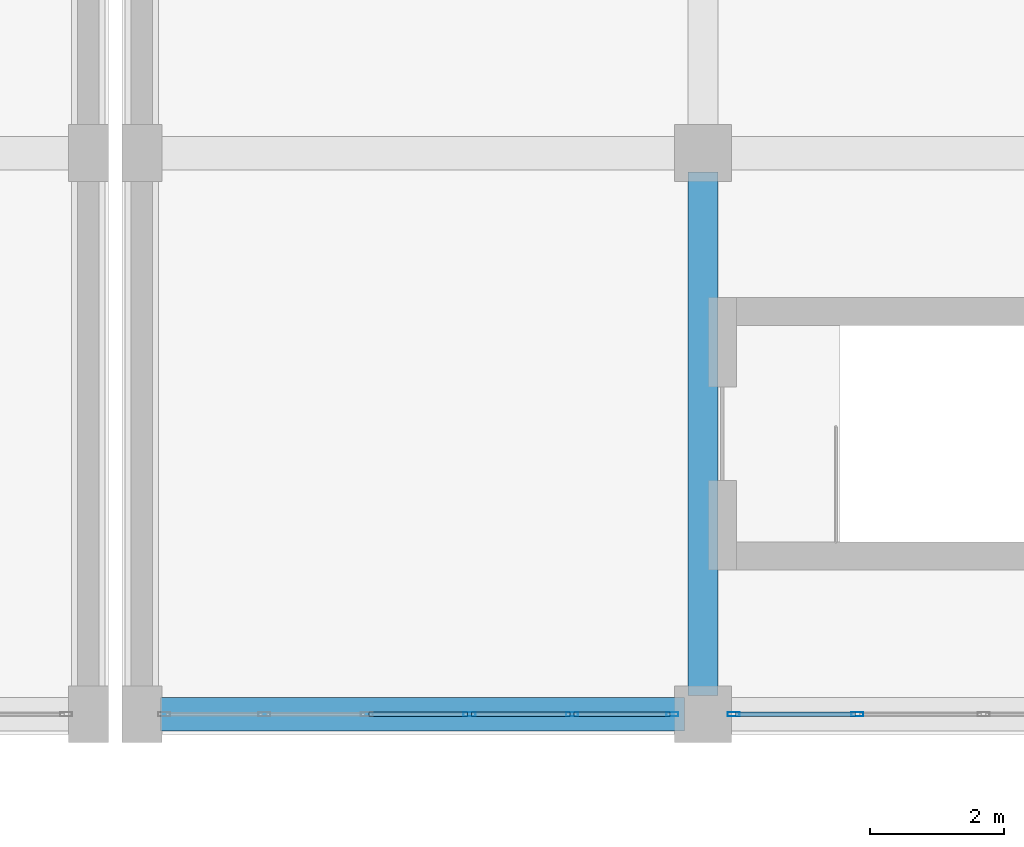
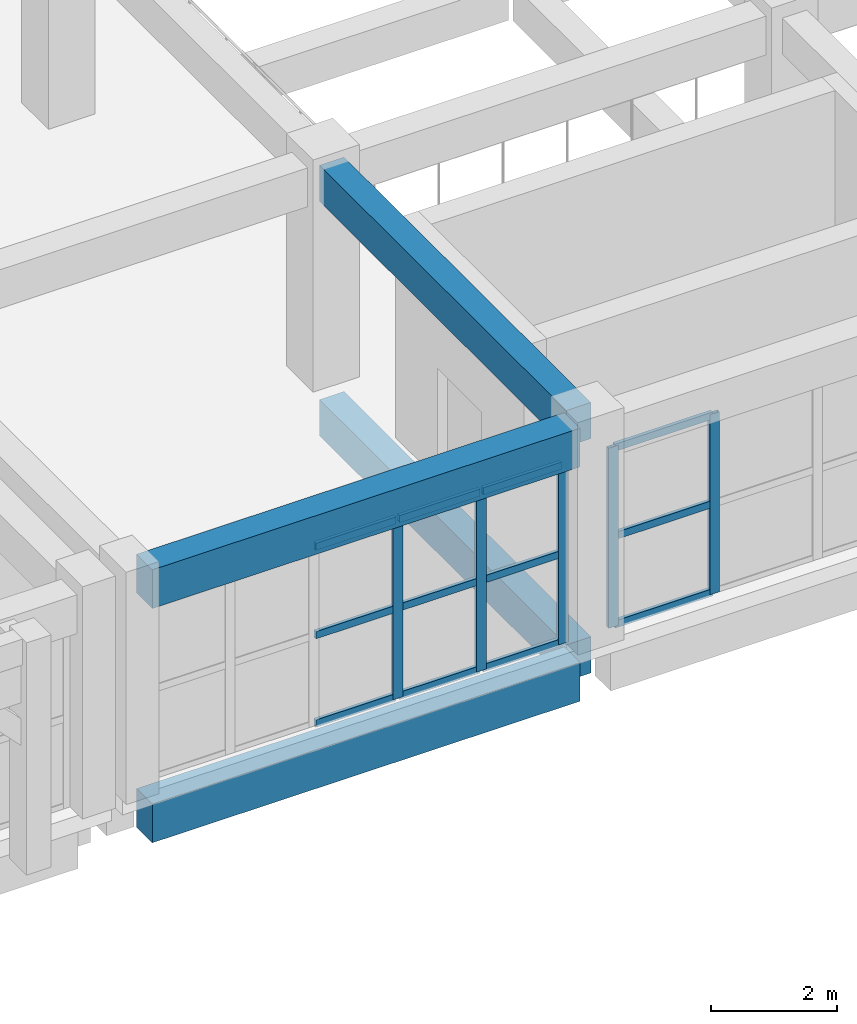
# One storey, part 26 of 129: 17 members, 4 beams, 2 elements without a shape of their own.
"""IFC4 building model written with IfcOpenShell, lengths in metres."""

import ifcopenshell
import ifcopenshell.guid

model = None  # the IFC model being written
_history = None  # IfcOwnerHistory: only IFC2X3 demands one
_inside = {}  # id of a spatial element -> (the spatial element, [elements in it])
_under = {}  # id of a project, library or spatial element -> (it, [spatial elements below it])
_declared = {}  # id of a project -> (the project, [libraries it declares])
_typed = {}  # id of a type object -> (the type object, [elements of that type])
_made_of = {}  # id of a material, layer set ... -> (it, [elements and type objects made of it])


def new_model(schema):
    """Start an empty IFC model of exactly this schema.

    Asked for "IFC4X3", IfcOpenShell would pick the latest addendum, in which some entities
    have other attributes; the version numbers below select the first issue.
    IFC2X3 requires an IfcOwnerHistory on every rooted entity: one is made here for all.
    """
    global model, _history
    if schema == "IFC4X3":
        model = ifcopenshell.file(schema_version=(4, 3, 0, 0))
    else:
        model = ifcopenshell.file(schema=schema)
    _inside.clear()
    _under.clear()
    _declared.clear()
    _typed.clear()
    _made_of.clear()
    _history = None
    if model.schema == "IFC2X3":
        org = make("IfcOrganization", Name="unknown")
        user = make(
            "IfcPersonAndOrganization",
            ThePerson=make("IfcPerson", FamilyName="unknown"),
            TheOrganization=org,
        )
        app = make(
            "IfcApplication",
            ApplicationDeveloper=org,
            Version="unknown",
            ApplicationFullName="unknown",
            ApplicationIdentifier="unknown",
        )
        _history = make(
            "IfcOwnerHistory",
            OwningUser=user,
            OwningApplication=app,
            ChangeAction="ADDED",
            CreationDate=0,
        )
    return model


def make(cls, **values):
    """One entity of the class cls with the attributes given. An attribute that is None is left unset."""
    return model.create_entity(
        cls, **{name: value for name, value in values.items() if value is not None}
    )


def rooted(cls, **values):
    """An entity with a GlobalId (a new one), such as an element, a storey or a relation."""
    return make(cls, GlobalId=ifcopenshell.guid.new(), OwnerHistory=_history, **values)


def si_unit(unit_type, name, prefix=None):
    """IfcSIUnit, for example si_unit("LENGTHUNIT", "METRE", prefix="MILLI")."""
    return make("IfcSIUnit", UnitType=unit_type, Prefix=prefix, Name=name)


def assignment(units):
    """IfcUnitAssignment: the units of a project."""
    return None if units is None else make("IfcUnitAssignment", Units=units)


def point(xyz):
    """IfcCartesianPoint."""
    return None if xyz is None else make("IfcCartesianPoint", Coordinates=xyz)


def direction(xyz):
    """IfcDirection."""
    return None if xyz is None else make("IfcDirection", DirectionRatios=xyz)


def frame(location, z_axis=None, x_axis=None):
    """IfcAxis2Placement3D, a coordinate frame: its origin and axes. An axis left out is left unset."""
    return make(
        "IfcAxis2Placement3D",
        Location=point(location),
        Axis=direction(z_axis),
        RefDirection=direction(x_axis),
    )


def frame_2d(location, x_axis=None):
    """IfcAxis2Placement2D, a coordinate frame in the plane: its origin and x axis."""
    return make(
        "IfcAxis2Placement2D", Location=point(location), RefDirection=direction(x_axis)
    )


def origin():
    """The frame at (0, 0, 0) with its axes left unset."""
    return frame((0.0, 0.0, 0.0))


def origin_2d():
    """The frame at (0, 0) in the plane with its x axis left unset."""
    return frame_2d((0.0, 0.0))


def place(relative_to, where):
    """IfcLocalPlacement: puts the frame where relative to a parent placement (None: the world)."""
    return make(
        "IfcLocalPlacement", PlacementRelTo=relative_to, RelativePlacement=where
    )


def context(
    kind, dimensions, precision=None, world=None, true_north=None, identifier=None
):
    """IfcGeometricRepresentationContext, for example the 3D "Model" context."""
    return make(
        "IfcGeometricRepresentationContext",
        ContextIdentifier=identifier,
        ContextType=kind,
        CoordinateSpaceDimension=dimensions,
        Precision=precision,
        WorldCoordinateSystem=world,
        TrueNorth=true_north,
    )


def subcontext(parent, identifier, kind, view, scale=None):
    """IfcGeometricRepresentationSubContext, for example "Body" below "Model"."""
    return make(
        "IfcGeometricRepresentationSubContext",
        ContextIdentifier=identifier,
        ContextType=kind,
        ParentContext=parent,
        TargetScale=scale,
        TargetView=view,
    )


def project(units=None, contexts=None):
    """IfcProject with its units and contexts."""
    return rooted(
        "IfcProject",
        Name="project",
        RepresentationContexts=contexts,
        UnitsInContext=assignment(units),
    )


def spatial(cls, under=None, at=None, **own):
    """A site, building, storey or space (cls), placed at a placement, below another one or the project."""
    s = rooted(cls, ObjectPlacement=at, **own)
    if under is not None:
        _under.setdefault(under.id(), (under, []))[1].append(s)
    return s


def profile(cls, at=None, kind="AREA", **sizes):
    """A parametric profile (cls). Its sizes go by their IFC names, for example OverallWidth=200.0."""
    return make(cls, ProfileType=kind, Position=at, **sizes)


def rectangle(**sizes):
    """IfcRectangleProfileDef."""
    return profile("IfcRectangleProfileDef", **sizes)


def hollow_rectangle(**sizes):
    """IfcRectangleHollowProfileDef."""
    return profile("IfcRectangleHollowProfileDef", **sizes)


def extrude(swept, where, along, depth):
    """IfcExtrudedAreaSolid: the profile swept, set in the frame where, extruded along a direction by depth."""
    return make(
        "IfcExtrudedAreaSolid",
        SweptArea=swept,
        Position=where,
        ExtrudedDirection=direction(along),
        Depth=depth,
    )


def shape(context_of_items, identifier, shape_type, items):
    """IfcShapeRepresentation: the items that make up one representation, for example the "Body"."""
    return make(
        "IfcShapeRepresentation",
        ContextOfItems=context_of_items,
        RepresentationIdentifier=identifier,
        RepresentationType=shape_type,
        Items=items,
    )


def material(Name=None, Category=None):
    """IfcMaterial."""
    return make("IfcMaterial", Name=Name, Category=Category)


def layer(
    of_material, thickness, ventilated=None, Name=None, Category=None, Priority=None
):
    """IfcMaterialLayer: one layer of a wall or slab, of a material (None: an air gap)."""
    return make(
        "IfcMaterialLayer",
        Material=of_material,
        LayerThickness=thickness,
        IsVentilated=ventilated,
        Name=Name,
        Category=Category,
        Priority=Priority,
    )


def layer_set(layers, Name=None):
    """IfcMaterialLayerSet."""
    return make("IfcMaterialLayerSet", MaterialLayers=layers, LayerSetName=Name)


def material_profile(
    of_material, cross_section, Name=None, Category=None, Priority=None
):
    """IfcMaterialProfile: a cross section and its material."""
    return make(
        "IfcMaterialProfile",
        Name=Name,
        Material=of_material,
        Profile=cross_section,
        Priority=Priority,
        Category=Category,
    )


def profile_set(profiles, Name=None, composite=None):
    """IfcMaterialProfileSet."""
    return make(
        "IfcMaterialProfileSet",
        Name=Name,
        MaterialProfiles=profiles,
        CompositeProfile=composite,
    )


def made_of(thing, what):
    """Note that an element or type object is made of a material, layer set ...; save() writes the relation."""
    if what is not None:
        _made_of.setdefault(what.id(), (what, []))[1].append(thing)
    return thing


def type_object(cls, material=None, **own):
    """A type object (cls), such as IfcWallType, which elements share."""
    return made_of(rooted(cls, **own), material)


def element(
    cls,
    number,
    at=None,
    inside=None,
    cuts=None,
    type_object=None,
    material=None,
    context=None,
    identifier="Body",
    shape_type=None,
    held_by="IfcProductDefinitionShape",
    body=None,
    shapes=None,
    **own,
):
    """One element of the class cls, such as IfcWall. Its Tag is "e" and its number.

    at: its placement. inside: the storey or other place that contains it. cuts: it is an
    opening in that element (IfcRelVoidsElement). A single representation is given by context,
    identifier, shape_type and body (its items); several are given by shapes. held_by: the class
    of the entity that holds the representations. save() writes the other relations.
    """
    e = rooted(cls, Tag="e%d" % number, ObjectPlacement=at, **own)
    if body is not None:
        shapes = [shape(context, identifier, shape_type, body)]
    if shapes is not None:
        e.Representation = make(held_by, Representations=shapes)
    if inside is not None:
        _inside.setdefault(inside.id(), (inside, []))[1].append(e)
    if cuts is not None:
        rooted(
            "IfcRelVoidsElement", RelatingBuildingElement=cuts, RelatedOpeningElement=e
        )
    if type_object is not None:
        _typed.setdefault(type_object.id(), (type_object, []))[1].append(e)
    return made_of(e, material)


def aggregate(whole, parts):
    """IfcRelAggregates: a whole, such as a stair, and the parts it consists of."""
    return rooted("IfcRelAggregates", RelatingObject=whole, RelatedObjects=parts)


def save(model, path):
    """Write the relations noted so far, then the file.

    IfcRelAggregates (storeys below a building ...), IfcRelContainedInSpatialStructure (elements
    in a storey), IfcRelDefinesByType, IfcRelAssociatesMaterial and IfcRelDeclares: one each for
    every whole, place, type object, material and project.
    """
    for whole, parts in _under.values():
        aggregate(whole, parts)
    for where, things in _inside.values():
        rooted(
            "IfcRelContainedInSpatialStructure",
            RelatedElements=things,
            RelatingStructure=where,
        )
    for kind, things in _typed.values():
        rooted("IfcRelDefinesByType", RelatedObjects=things, RelatingType=kind)
    for what, things in _made_of.values():
        rooted("IfcRelAssociatesMaterial", RelatedObjects=things, RelatingMaterial=what)
    for by, libraries in _declared.values():
        rooted("IfcRelDeclares", RelatingContext=by, RelatedDefinitions=libraries)
    model.write(path)


model = new_model("IFC4")

# Units and contexts
model_context = context("Model", 3, precision=1e-05, world=origin(), true_north=direction((0.0, 1.0)))
body_context = subcontext(model_context, "Body", "Model", "MODEL_VIEW")
ifc_project = project(units=[si_unit("LENGTHUNIT", "METRE"), si_unit("AREAUNIT", "SQUARE_METRE"), si_unit("VOLUMEUNIT", "CUBIC_METRE"), si_unit("PLANEANGLEUNIT", "RADIAN"), si_unit("MASSUNIT", "GRAM", prefix="KILO")], contexts=[model_context])

# Site, building, storey
site_placement = place(None, origin())
site = spatial("IfcSite", under=ifc_project, at=site_placement, CompositionType="ELEMENT")
building_placement = place(site_placement, origin())
building = spatial("IfcBuilding", under=site, at=building_placement, Name="Xazarin Passage Department Store", CompositionType="ELEMENT")
storey_placement = place(building_placement, frame((0.0, 0.0, 9.89990234375)))
storey = spatial("IfcBuildingStorey", under=building, at=storey_placement, Name="L02", CompositionType="ELEMENT", Elevation=9.89990234375)

# Curtain wall, members
ifc_material_1 = material(Name="Bronze anodised aluminium", Category="aluminium")
ifc_layer = layer(ifc_material_1, 0.159912109375)
ifc_layer_set = layer_set([ifc_layer], Name="Bronze anodised aluminium")
curtain_wall_type = type_object("IfcCurtainWallType", Name="ARC-CW-ARC1", PredefinedType="NOTDEFINED", material=ifc_layer_set)
curtain_wall_1_placement = place(storey_placement, origin())
curtain_wall_1 = element("IfcCurtainWall", 1, at=curtain_wall_1_placement, inside=storey, type_object=curtain_wall_type, Name="L02 V2S Curtain Wall 104", PredefinedType="NOTDEFINED")
ifc_material_profile_1 = material_profile(ifc_material_1, hollow_rectangle(XDim=0.06494140625, YDim=0.179931640625, WallThickness=0.00390625, at=origin_2d()), Name="ALU 65x180")
ifc_profile_set_1 = profile_set([ifc_material_profile_1], Name="Bronze anodised aluminium")
member_type_1 = type_object("IfcMemberType", Name="ARC-CWM-65x180", PredefinedType="MULLION", material=ifc_profile_set_1)
member_1_placement = place(storey_placement, frame((72.905029296875, 0.0, 0.0), z_axis=(0.0, 0.0, 1.0), x_axis=(0.0, 1.0, 0.0)))
member_1 = element("IfcMember", 2, at=member_1_placement, type_object=member_type_1, Name="CW3 mullion 4", PredefinedType="MULLION", context=body_context, shape_type="SweptSolid", body=[
    extrude(hollow_rectangle(XDim=0.06494140625, YDim=0.179931640625, WallThickness=0.00390625, at=origin_2d()), origin(), (0.0, 0.0, 1.0), 3.489990234375),
])
member_2_placement = place(storey_placement, frame((74.43994140625, 0.0, 0.0), z_axis=(0.0, 0.0, 1.0), x_axis=(0.0, 1.0, 0.0)))
member_2 = element("IfcMember", 3, at=member_2_placement, type_object=member_type_1, Name="CW3 mullion 5", PredefinedType="MULLION", context=body_context, shape_type="SweptSolid", body=[
    extrude(hollow_rectangle(XDim=0.06494140625, YDim=0.179931640625, WallThickness=0.00390625, at=origin_2d()), origin(), (0.0, 0.0, 1.0), 3.489990234375),
])
member_3_placement = place(storey_placement, frame((75.9423828125, 0.0, 0.0), z_axis=(0.0, 0.0, 1.0), x_axis=(0.0, 1.0, 0.0)))
member_3 = element("IfcMember", 4, at=member_3_placement, type_object=member_type_1, Name="CW3 mullion 6", PredefinedType="MULLION", context=body_context, shape_type="SweptSolid", body=[
    extrude(hollow_rectangle(XDim=0.06494140625, YDim=0.179931640625, WallThickness=0.00390625, at=origin_2d()), origin(), (0.0, 0.0, 1.0), 3.489990234375),
])

curtain_wall_2_placement = place(storey_placement, origin())
curtain_wall_2 = element("IfcCurtainWall", 5, at=curtain_wall_2_placement, inside=storey, type_object=curtain_wall_type, Name="L02 V2S Curtain Wall 105", PredefinedType="NOTDEFINED")
member_4_placement = place(storey_placement, frame((76.857421875, 0.0, 0.0), z_axis=(0.0, 0.0, 1.0), x_axis=(0.0, 1.0, 0.0)))
member_4 = element("IfcMember", 6, at=member_4_placement, type_object=member_type_1, Name="CW3 mullion 1", PredefinedType="MULLION", context=body_context, shape_type="SweptSolid", body=[
    extrude(hollow_rectangle(XDim=0.06494140625, YDim=0.179931640625, WallThickness=0.00390625, at=origin_2d()), origin(), (0.0, 0.0, 1.0), 3.489990234375),
])
member_5_placement = place(storey_placement, frame((78.71240234375, 0.0, 0.0), z_axis=(0.0, 0.0, 1.0), x_axis=(0.0, 1.0, 0.0)))
member_5 = element("IfcMember", 7, at=member_5_placement, type_object=member_type_1, Name="CW3 mullion 2", PredefinedType="MULLION", context=body_context, shape_type="SweptSolid", body=[
    extrude(hollow_rectangle(XDim=0.06494140625, YDim=0.179931640625, WallThickness=0.00390625, at=origin_2d()), origin(), (0.0, 0.0, 1.0), 3.489990234375),
])

# Member
ifc_material_profile_2 = material_profile(ifc_material_1, hollow_rectangle(XDim=0.06494140625, YDim=0.139892578125, WallThickness=0.00390625, at=origin_2d()), Name="ALU 65x140")
ifc_profile_set_2 = profile_set([ifc_material_profile_2], Name="Bronze anodised aluminium")
member_type_2 = type_object("IfcMemberType", Name="ARC-CWT-65x140", PredefinedType="USERDEFINED", material=ifc_profile_set_2)
member_6_placement = place(storey_placement, frame((71.402587890625, 0.0, 0.03271484375), z_axis=(1.0, 0.0, 0.0), x_axis=(0.0, 1.0, 0.0)))
member_6 = element("IfcMember", 8, at=member_6_placement, type_object=member_type_2, Name="CW3 transom 3.1", ObjectType="TRANSOM", PredefinedType="USERDEFINED", context=body_context, shape_type="SweptSolid", body=[
    extrude(hollow_rectangle(XDim=0.06494140625, YDim=0.139892578125, WallThickness=0.00390625, at=origin_2d()), origin(), (0.0, 0.0, 1.0), 1.469970703125),
])

member_7_placement = place(storey_placement, frame((71.402587890625, 0.0, 1.7451171875), z_axis=(1.0, 0.0, 0.0), x_axis=(0.0, 1.0, 0.0)))
member_7 = element("IfcMember", 9, at=member_7_placement, type_object=member_type_2, Name="CW3 transom 3.2", ObjectType="TRANSOM", PredefinedType="USERDEFINED", context=body_context, shape_type="SweptSolid", body=[
    extrude(hollow_rectangle(XDim=0.06494140625, YDim=0.139892578125, WallThickness=0.00390625, at=origin_2d()), origin(), (0.0, 0.0, 1.0), 1.469970703125),
])

member_8_placement = place(storey_placement, frame((71.402587890625, 0.0, 3.45751953125), z_axis=(1.0, 0.0, 0.0), x_axis=(0.0, 1.0, 0.0)))
member_8 = element("IfcMember", 10, at=member_8_placement, type_object=member_type_2, Name="CW3 transom 3.3", ObjectType="TRANSOM", PredefinedType="USERDEFINED", context=body_context, shape_type="SweptSolid", body=[
    extrude(hollow_rectangle(XDim=0.06494140625, YDim=0.139892578125, WallThickness=0.00390625, at=origin_2d()), origin(), (0.0, 0.0, 1.0), 1.469970703125),
])

member_9_placement = place(storey_placement, frame((72.9375, 0.0, 0.03271484375), z_axis=(1.0, 0.0, 0.0), x_axis=(0.0, 1.0, 0.0)))
member_9 = element("IfcMember", 11, at=member_9_placement, type_object=member_type_2, Name="CW3 transom 4.1", ObjectType="TRANSOM", PredefinedType="USERDEFINED", context=body_context, shape_type="SweptSolid", body=[
    extrude(hollow_rectangle(XDim=0.06494140625, YDim=0.139892578125, WallThickness=0.00390625, at=origin_2d()), origin(), (0.0, 0.0, 1.0), 1.469970703125),
])

member_10_placement = place(storey_placement, frame((72.9375, 0.0, 1.7451171875), z_axis=(1.0, 0.0, 0.0), x_axis=(0.0, 1.0, 0.0)))
member_10 = element("IfcMember", 12, at=member_10_placement, type_object=member_type_2, Name="CW3 transom 4.2", ObjectType="TRANSOM", PredefinedType="USERDEFINED", context=body_context, shape_type="SweptSolid", body=[
    extrude(hollow_rectangle(XDim=0.06494140625, YDim=0.139892578125, WallThickness=0.00390625, at=origin_2d()), origin(), (0.0, 0.0, 1.0), 1.469970703125),
])

member_11_placement = place(storey_placement, frame((72.9375, 0.0, 3.45751953125), z_axis=(1.0, 0.0, 0.0), x_axis=(0.0, 1.0, 0.0)))
member_11 = element("IfcMember", 13, at=member_11_placement, type_object=member_type_2, Name="CW3 transom 4.3", ObjectType="TRANSOM", PredefinedType="USERDEFINED", context=body_context, shape_type="SweptSolid", body=[
    extrude(hollow_rectangle(XDim=0.06494140625, YDim=0.139892578125, WallThickness=0.00390625, at=origin_2d()), origin(), (0.0, 0.0, 1.0), 1.469970703125),
])

member_12_placement = place(storey_placement, frame((74.472412109375, 0.0, 0.03271484375), z_axis=(1.0, 0.0, 0.0), x_axis=(0.0, 1.0, 0.0)))
member_12 = element("IfcMember", 14, at=member_12_placement, type_object=member_type_2, Name="CW3 transom 5.1", ObjectType="TRANSOM", PredefinedType="USERDEFINED", context=body_context, shape_type="SweptSolid", body=[
    extrude(hollow_rectangle(XDim=0.06494140625, YDim=0.139892578125, WallThickness=0.00390625, at=origin_2d()), origin(), (0.0, 0.0, 1.0), 1.4375),
])

member_13_placement = place(storey_placement, frame((74.472412109375, 0.0, 1.7451171875), z_axis=(1.0, 0.0, 0.0), x_axis=(0.0, 1.0, 0.0)))
member_13 = element("IfcMember", 15, at=member_13_placement, type_object=member_type_2, Name="CW3 transom 5.2", ObjectType="TRANSOM", PredefinedType="USERDEFINED", context=body_context, shape_type="SweptSolid", body=[
    extrude(hollow_rectangle(XDim=0.06494140625, YDim=0.139892578125, WallThickness=0.00390625, at=origin_2d()), origin(), (0.0, 0.0, 1.0), 1.4375),
])

member_14_placement = place(storey_placement, frame((74.472412109375, 0.0, 3.45751953125), z_axis=(1.0, 0.0, 0.0), x_axis=(0.0, 1.0, 0.0)))
member_14 = element("IfcMember", 16, at=member_14_placement, type_object=member_type_2, Name="CW3 transom 5.3", ObjectType="TRANSOM", PredefinedType="USERDEFINED", context=body_context, shape_type="SweptSolid", body=[
    extrude(hollow_rectangle(XDim=0.06494140625, YDim=0.139892578125, WallThickness=0.00390625, at=origin_2d()), origin(), (0.0, 0.0, 1.0), 1.4375),
])

aggregate(curtain_wall_1, [member_1, member_2, member_3, member_6, member_7, member_8, member_9, member_10, member_11, member_12, member_13, member_14])

member_15_placement = place(storey_placement, frame((76.889892578125, 0.0, 0.03271484375), z_axis=(1.0, 0.0, 0.0), x_axis=(0.0, 1.0, 0.0)))
member_15 = element("IfcMember", 17, at=member_15_placement, type_object=member_type_2, Name="CW3 transom 1.1", ObjectType="TRANSOM", PredefinedType="USERDEFINED", context=body_context, shape_type="SweptSolid", body=[
    extrude(hollow_rectangle(XDim=0.06494140625, YDim=0.139892578125, WallThickness=0.00390625, at=origin_2d()), origin(), (0.0, 0.0, 1.0), 1.7900390625),
])

member_16_placement = place(storey_placement, frame((76.889892578125, 0.0, 1.7451171875), z_axis=(1.0, 0.0, 0.0), x_axis=(0.0, 1.0, 0.0)))
member_16 = element("IfcMember", 18, at=member_16_placement, type_object=member_type_2, Name="CW3 transom 1.2", ObjectType="TRANSOM", PredefinedType="USERDEFINED", context=body_context, shape_type="SweptSolid", body=[
    extrude(hollow_rectangle(XDim=0.06494140625, YDim=0.139892578125, WallThickness=0.00390625, at=origin_2d()), origin(), (0.0, 0.0, 1.0), 1.7900390625),
])

member_17_placement = place(storey_placement, frame((76.889892578125, 0.0, 3.45751953125), z_axis=(1.0, 0.0, 0.0), x_axis=(0.0, 1.0, 0.0)))
member_17 = element("IfcMember", 19, at=member_17_placement, type_object=member_type_2, Name="CW3 transom 1.3", ObjectType="TRANSOM", PredefinedType="USERDEFINED", context=body_context, shape_type="SweptSolid", body=[
    extrude(hollow_rectangle(XDim=0.06494140625, YDim=0.139892578125, WallThickness=0.00390625, at=origin_2d()), origin(), (0.0, 0.0, 1.0), 1.7900390625),
])

aggregate(curtain_wall_2, [member_4, member_5, member_15, member_16, member_17])

# Beams
ifc_material_2 = material(Name="Concrete C35/45", Category="concrete")
ifc_material_profile_3 = material_profile(ifc_material_2, rectangle(XDim=0.449951171875, YDim=0.699951171875, at=origin_2d()), Name="RC 450x700")
ifc_profile_set_3 = profile_set([ifc_material_profile_3], Name="Concrete C35/45")
beam_type_1 = type_object("IfcBeamType", Name="STR-BM-G450x700", PredefinedType="BEAM", material=ifc_profile_set_3)
for number, where, z_axis, x_axis, name in (
    (20, (76.39990234375, 0.280029296875, -0.64990234375), (0.0, 1.0, 0.0), (-1.0, 0.0, 0.0), "L02 Grid Beam 11/A-B"),
    (21, (76.39990234375, 0.280029296875, 3.89013671875), (0.0, 1.0, 0.0), (-1.0, 0.0, 0.0), "L02 Grid Beam 11/A-B"),
):
    element("IfcBeam", number, at=place(storey_placement, frame(where, z_axis=z_axis, x_axis=x_axis)), inside=storey, type_object=beam_type_1, Name=name, PredefinedType="BEAM", context=body_context, shape_type="SweptSolid", body=[
        extrude(rectangle(XDim=0.449951171875, YDim=0.699951171875, at=origin_2d()), origin(), (0.0, 0.0, 1.0), 7.840087890625),
    ])
ifc_material_profile_4 = material_profile(ifc_material_2, rectangle(XDim=0.5, YDim=0.75, at=origin_2d()), Name="RC 500x750")
ifc_profile_set_4 = profile_set([ifc_material_profile_4], Name="Concrete C35/45")
beam_type_2 = type_object("IfcBeamType", Name="STR-BM-SP500x750", PredefinedType="SPANDREL", material=ifc_profile_set_4)
for number, where, z_axis, x_axis, name in (
    (22, (68.280029296875, 0.0, -0.6748046875), (1.0, 0.0, 0.0), (0.0, 1.0, 0.0), "L02 Grid Beam A/10-11"),
    (23, (68.280029296875, 0.0, 3.864990234375), (1.0, 0.0, 0.0), (0.0, 1.0, 0.0), "L02 Grid Beam A/10-11"),
):
    element("IfcBeam", number, at=place(storey_placement, frame(where, z_axis=z_axis, x_axis=x_axis)), inside=storey, type_object=beam_type_2, Name=name, PredefinedType="SPANDREL", context=body_context, shape_type="SweptSolid", body=[
        extrude(rectangle(XDim=0.5, YDim=0.75, at=origin_2d()), origin(), (0.0, 0.0, 1.0), 7.840087890625),
    ])

save(model, "model.ifc")
